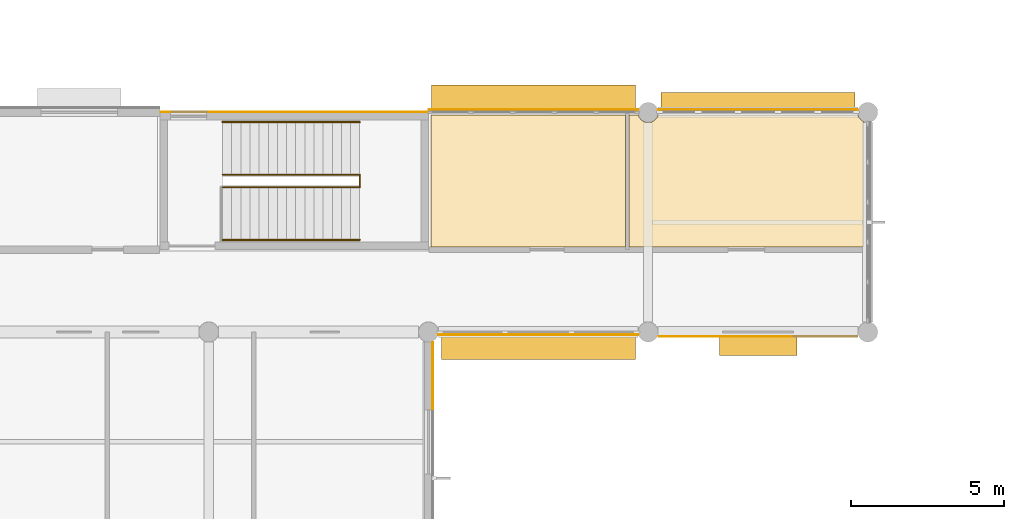
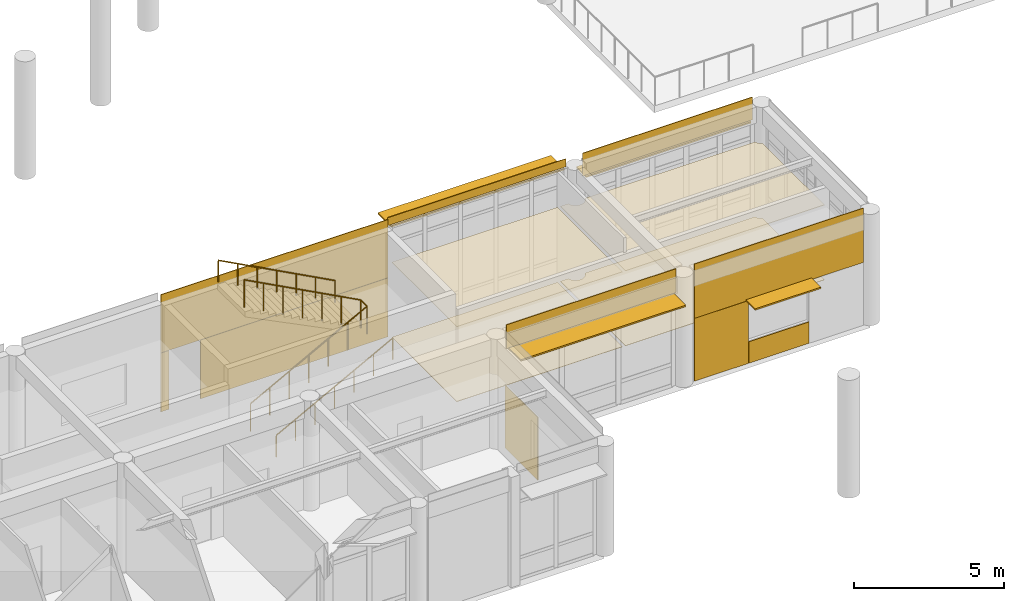
# One storey, part 76 of 92: 14 coverings, 4 shading devices, 3 railings.
"""IFC4 building model written with IfcOpenShell, lengths in metres."""

import ifcopenshell
import ifcopenshell.guid

model = None  # the IFC model being written
_history = None  # IfcOwnerHistory: only IFC2X3 demands one
_inside = {}  # id of a spatial element -> (the spatial element, [elements in it])
_under = {}  # id of a project, library or spatial element -> (it, [spatial elements below it])
_declared = {}  # id of a project -> (the project, [libraries it declares])
_typed = {}  # id of a type object -> (the type object, [elements of that type])
_made_of = {}  # id of a material, layer set ... -> (it, [elements and type objects made of it])


def new_model(schema):
    """Start an empty IFC model of exactly this schema.

    Asked for "IFC4X3", IfcOpenShell would pick the latest addendum, in which some entities
    have other attributes; the version numbers below select the first issue.
    IFC2X3 requires an IfcOwnerHistory on every rooted entity: one is made here for all.
    """
    global model, _history
    if schema == "IFC4X3":
        model = ifcopenshell.file(schema_version=(4, 3, 0, 0))
    else:
        model = ifcopenshell.file(schema=schema)
    _inside.clear()
    _under.clear()
    _declared.clear()
    _typed.clear()
    _made_of.clear()
    _history = None
    if model.schema == "IFC2X3":
        org = make("IfcOrganization", Name="unknown")
        user = make(
            "IfcPersonAndOrganization",
            ThePerson=make("IfcPerson", FamilyName="unknown"),
            TheOrganization=org,
        )
        app = make(
            "IfcApplication",
            ApplicationDeveloper=org,
            Version="unknown",
            ApplicationFullName="unknown",
            ApplicationIdentifier="unknown",
        )
        _history = make(
            "IfcOwnerHistory",
            OwningUser=user,
            OwningApplication=app,
            ChangeAction="ADDED",
            CreationDate=0,
        )
    return model


def make(cls, **values):
    """One entity of the class cls with the attributes given. An attribute that is None is left unset."""
    return model.create_entity(
        cls, **{name: value for name, value in values.items() if value is not None}
    )


def rooted(cls, **values):
    """An entity with a GlobalId (a new one), such as an element, a storey or a relation."""
    return make(cls, GlobalId=ifcopenshell.guid.new(), OwnerHistory=_history, **values)


def si_unit(unit_type, name, prefix=None):
    """IfcSIUnit, for example si_unit("LENGTHUNIT", "METRE", prefix="MILLI")."""
    return make("IfcSIUnit", UnitType=unit_type, Prefix=prefix, Name=name)


def assignment(units):
    """IfcUnitAssignment: the units of a project."""
    return None if units is None else make("IfcUnitAssignment", Units=units)


def point(xyz):
    """IfcCartesianPoint."""
    return None if xyz is None else make("IfcCartesianPoint", Coordinates=xyz)


def direction(xyz):
    """IfcDirection."""
    return None if xyz is None else make("IfcDirection", DirectionRatios=xyz)


def frame(location, z_axis=None, x_axis=None):
    """IfcAxis2Placement3D, a coordinate frame: its origin and axes. An axis left out is left unset."""
    return make(
        "IfcAxis2Placement3D",
        Location=point(location),
        Axis=direction(z_axis),
        RefDirection=direction(x_axis),
    )


def frame_2d(location, x_axis=None):
    """IfcAxis2Placement2D, a coordinate frame in the plane: its origin and x axis."""
    return make(
        "IfcAxis2Placement2D", Location=point(location), RefDirection=direction(x_axis)
    )


def origin():
    """The frame at (0, 0, 0) with its axes left unset."""
    return frame((0.0, 0.0, 0.0))


def origin_2d():
    """The frame at (0, 0) in the plane with its x axis left unset."""
    return frame_2d((0.0, 0.0))


def place(relative_to, where):
    """IfcLocalPlacement: puts the frame where relative to a parent placement (None: the world)."""
    return make(
        "IfcLocalPlacement", PlacementRelTo=relative_to, RelativePlacement=where
    )


def context(
    kind, dimensions, precision=None, world=None, true_north=None, identifier=None
):
    """IfcGeometricRepresentationContext, for example the 3D "Model" context."""
    return make(
        "IfcGeometricRepresentationContext",
        ContextIdentifier=identifier,
        ContextType=kind,
        CoordinateSpaceDimension=dimensions,
        Precision=precision,
        WorldCoordinateSystem=world,
        TrueNorth=true_north,
    )


def subcontext(parent, identifier, kind, view, scale=None):
    """IfcGeometricRepresentationSubContext, for example "Body" below "Model"."""
    return make(
        "IfcGeometricRepresentationSubContext",
        ContextIdentifier=identifier,
        ContextType=kind,
        ParentContext=parent,
        TargetScale=scale,
        TargetView=view,
    )


def project(units=None, contexts=None):
    """IfcProject with its units and contexts."""
    return rooted(
        "IfcProject",
        Name="project",
        RepresentationContexts=contexts,
        UnitsInContext=assignment(units),
    )


def spatial(cls, under=None, at=None, **own):
    """A site, building, storey or space (cls), placed at a placement, below another one or the project."""
    s = rooted(cls, ObjectPlacement=at, **own)
    if under is not None:
        _under.setdefault(under.id(), (under, []))[1].append(s)
    return s


def polyline(points):
    """IfcPolyline through the points."""
    return make("IfcPolyline", Points=[point(p) for p in points])


def profile(cls, at=None, kind="AREA", **sizes):
    """A parametric profile (cls). Its sizes go by their IFC names, for example OverallWidth=200.0."""
    return make(cls, ProfileType=kind, Position=at, **sizes)


def rectangle(**sizes):
    """IfcRectangleProfileDef."""
    return profile("IfcRectangleProfileDef", **sizes)


def circle(**sizes):
    """IfcCircleProfileDef."""
    return profile("IfcCircleProfileDef", **sizes)


def outline(outer, holes=None, kind="AREA"):
    """IfcArbitraryClosedProfileDef: a profile drawn as a closed curve; with holes, ...WithVoids."""
    if holes is None:
        return make("IfcArbitraryClosedProfileDef", ProfileType=kind, OuterCurve=outer)
    return make(
        "IfcArbitraryProfileDefWithVoids",
        ProfileType=kind,
        OuterCurve=outer,
        InnerCurves=holes,
    )


def extrude(swept, where, along, depth):
    """IfcExtrudedAreaSolid: the profile swept, set in the frame where, extruded along a direction by depth."""
    return make(
        "IfcExtrudedAreaSolid",
        SweptArea=swept,
        Position=where,
        ExtrudedDirection=direction(along),
        Depth=depth,
    )


def shape(context_of_items, identifier, shape_type, items):
    """IfcShapeRepresentation: the items that make up one representation, for example the "Body"."""
    return make(
        "IfcShapeRepresentation",
        ContextOfItems=context_of_items,
        RepresentationIdentifier=identifier,
        RepresentationType=shape_type,
        Items=items,
    )


def material(Name=None, Category=None):
    """IfcMaterial."""
    return make("IfcMaterial", Name=Name, Category=Category)


def layer(
    of_material, thickness, ventilated=None, Name=None, Category=None, Priority=None
):
    """IfcMaterialLayer: one layer of a wall or slab, of a material (None: an air gap)."""
    return make(
        "IfcMaterialLayer",
        Material=of_material,
        LayerThickness=thickness,
        IsVentilated=ventilated,
        Name=Name,
        Category=Category,
        Priority=Priority,
    )


def layer_set(layers, Name=None):
    """IfcMaterialLayerSet."""
    return make("IfcMaterialLayerSet", MaterialLayers=layers, LayerSetName=Name)


def made_of(thing, what):
    """Note that an element or type object is made of a material, layer set ...; save() writes the relation."""
    if what is not None:
        _made_of.setdefault(what.id(), (what, []))[1].append(thing)
    return thing


def type_object(cls, material=None, **own):
    """A type object (cls), such as IfcWallType, which elements share."""
    return made_of(rooted(cls, **own), material)


def element(
    cls,
    number,
    at=None,
    inside=None,
    cuts=None,
    type_object=None,
    material=None,
    context=None,
    identifier="Body",
    shape_type=None,
    held_by="IfcProductDefinitionShape",
    body=None,
    shapes=None,
    **own,
):
    """One element of the class cls, such as IfcWall. Its Tag is "e" and its number.

    at: its placement. inside: the storey or other place that contains it. cuts: it is an
    opening in that element (IfcRelVoidsElement). A single representation is given by context,
    identifier, shape_type and body (its items); several are given by shapes. held_by: the class
    of the entity that holds the representations. save() writes the other relations.
    """
    e = rooted(cls, Tag="e%d" % number, ObjectPlacement=at, **own)
    if body is not None:
        shapes = [shape(context, identifier, shape_type, body)]
    if shapes is not None:
        e.Representation = make(held_by, Representations=shapes)
    if inside is not None:
        _inside.setdefault(inside.id(), (inside, []))[1].append(e)
    if cuts is not None:
        rooted(
            "IfcRelVoidsElement", RelatingBuildingElement=cuts, RelatedOpeningElement=e
        )
    if type_object is not None:
        _typed.setdefault(type_object.id(), (type_object, []))[1].append(e)
    return made_of(e, material)


def aggregate(whole, parts):
    """IfcRelAggregates: a whole, such as a stair, and the parts it consists of."""
    return rooted("IfcRelAggregates", RelatingObject=whole, RelatedObjects=parts)


def save(model, path):
    """Write the relations noted so far, then the file.

    IfcRelAggregates (storeys below a building ...), IfcRelContainedInSpatialStructure (elements
    in a storey), IfcRelDefinesByType, IfcRelAssociatesMaterial and IfcRelDeclares: one each for
    every whole, place, type object, material and project.
    """
    for whole, parts in _under.values():
        aggregate(whole, parts)
    for where, things in _inside.values():
        rooted(
            "IfcRelContainedInSpatialStructure",
            RelatedElements=things,
            RelatingStructure=where,
        )
    for kind, things in _typed.values():
        rooted("IfcRelDefinesByType", RelatedObjects=things, RelatingType=kind)
    for what, things in _made_of.values():
        rooted("IfcRelAssociatesMaterial", RelatedObjects=things, RelatingMaterial=what)
    for by, libraries in _declared.values():
        rooted("IfcRelDeclares", RelatingContext=by, RelatedDefinitions=libraries)
    model.write(path)


model = new_model("IFC4")

# Units and contexts
model_context = context("Model", 3, precision=1e-05, world=origin(), true_north=direction((0.0, 1.0)))
body_context = subcontext(model_context, "Body", "Model", "MODEL_VIEW")
ifc_project = project(units=[si_unit("LENGTHUNIT", "METRE"), si_unit("AREAUNIT", "SQUARE_METRE"), si_unit("VOLUMEUNIT", "CUBIC_METRE"), si_unit("PLANEANGLEUNIT", "RADIAN"), si_unit("MASSUNIT", "GRAM", prefix="KILO")], contexts=[model_context])

# Site, building, storey
site_placement = place(None, origin())
site = spatial("IfcSite", under=ifc_project, at=site_placement, CompositionType="ELEMENT")
building_placement = place(site_placement, origin())
building = spatial("IfcBuilding", under=site, at=building_placement, Name="Namkhue Oval Health Centre", CompositionType="ELEMENT")
storey_placement = place(building_placement, frame((0.0, 0.0, 4.800048828125)))
storey = spatial("IfcBuildingStorey", under=building, at=storey_placement, Name="L01", CompositionType="ELEMENT", Elevation=4.800048828125)

# Coverings
ifc_material_1 = material(Name="Acoustic mineral-fibre cleanroom ceiling", Category="gypsum")
ifc_layer_1 = layer(ifc_material_1, 0.02001953125)
ifc_layer_set_1 = layer_set([ifc_layer_1], Name="Acoustic mineral-fibre cleanroom ceiling")
covering_type_1 = type_object("IfcCoveringType", Name="ACOUSTIC CLEANROOM CEILING 20", PredefinedType="CEILING", material=ifc_layer_set_1)
covering_1_placement = place(storey_placement, frame((0.0, 0.0, 3.050048828125)))
element("IfcCovering", 1, at=covering_1_placement, inside=storey, type_object=covering_type_1, Name="Acoustic Ceiling L01-509 Digital CAD CAM Dental Studio", PredefinedType="CEILING", context=body_context, shape_type="SweptSolid", body=[
    extrude(outline(polyline([(122.47998046875, 24.3798828125), (122.47998046875, 28.715087890625), (128.860107421875, 28.715087890625), (128.860107421875, 24.3798828125), (122.47998046875, 24.3798828125)])), origin(), (0.0, 0.0, 1.0), 0.02001953125),
])
covering_2_placement = place(storey_placement, frame((0.0, 0.0, 3.050048828125)))
element("IfcCovering", 2, at=covering_2_placement, inside=storey, type_object=covering_type_1, Name="Acoustic Ceiling L01-510 Implantology Procedure Room", PredefinedType="CEILING", context=body_context, shape_type="SweptSolid", body=[
    extrude(outline(polyline([(128.97998046875, 24.3798828125), (128.97998046875, 28.715087890625), (129.276123046875, 28.715087890625), (129.309814453125, 28.632568359375), (129.363037109375, 28.56298828125), (129.4326171875, 28.510009765625), (129.51318359375, 28.476318359375), (129.60009765625, 28.465087890625), (129.686767578125, 28.476318359375), (129.767578125, 28.510009765625), (129.8369140625, 28.56298828125), (129.89013671875, 28.632568359375), (129.923828125, 28.715087890625), (136.476318359375, 28.715087890625), (136.510009765625, 28.632568359375), (136.56298828125, 28.56298828125), (136.632568359375, 28.510009765625), (136.655029296875, 28.50048828125), (136.655029296875, 24.3798828125), (128.97998046875, 24.3798828125)])), origin(), (0.0, 0.0, 1.0), 0.02001953125),
])
ifc_material_2 = material(Name="Homogeneous anti-bacterial clinical vinyl flooring", Category="plastic")
ifc_layer_2 = layer(ifc_material_2, 0.014892578125)
ifc_layer_set_2 = layer_set([ifc_layer_2], Name="Homogeneous anti-bacterial clinical vinyl flooring")
covering_type_2 = type_object("IfcCoveringType", Name="CLINICAL ANTIBACTERIAL VINYL FLOORING 15", PredefinedType="FLOORING", material=ifc_layer_set_2)
covering_3_placement = place(storey_placement, origin())
element("IfcCovering", 3, at=covering_3_placement, inside=storey, type_object=covering_type_2, Name="Clinical Flooring L01-509 Digital CAD CAM Dental Studio", PredefinedType="FLOORING", context=body_context, shape_type="SweptSolid", body=[
    extrude(outline(polyline([(122.47998046875, 24.3798828125), (122.47998046875, 28.715087890625), (128.860107421875, 28.715087890625), (128.860107421875, 24.3798828125), (122.47998046875, 24.3798828125)])), origin(), (0.0, 0.0, 1.0), 0.014892578125),
])
covering_4_placement = place(storey_placement, origin())
element("IfcCovering", 4, at=covering_4_placement, inside=storey, type_object=covering_type_2, Name="Clinical Flooring L01-510 Implantology Procedure Room", PredefinedType="FLOORING", context=body_context, shape_type="SweptSolid", body=[
    extrude(outline(polyline([(128.97998046875, 24.3798828125), (128.97998046875, 28.715087890625), (129.276123046875, 28.715087890625), (129.309814453125, 28.632568359375), (129.363037109375, 28.56298828125), (129.4326171875, 28.510009765625), (129.51318359375, 28.476318359375), (129.60009765625, 28.465087890625), (129.686767578125, 28.476318359375), (129.767578125, 28.510009765625), (129.8369140625, 28.56298828125), (129.89013671875, 28.632568359375), (129.923828125, 28.715087890625), (136.476318359375, 28.715087890625), (136.510009765625, 28.632568359375), (136.56298828125, 28.56298828125), (136.632568359375, 28.510009765625), (136.655029296875, 28.50048828125), (136.655029296875, 24.3798828125), (128.97998046875, 24.3798828125)])), origin(), (0.0, 0.0, 1.0), 0.014892578125),
])

# Railings
ifc_material_3 = material(Name="Brushed stainless steel 316L balustrade with laminated glass infill", Category="steel")
railing_type_1 = type_object("IfcRailingType", Name="INTERIOR BALUSTRADE GUARD 1150", PredefinedType="BALUSTRADE", material=ifc_material_3)
railing_1_placement = place(storey_placement, frame((115.64990234375, 26.340087890625, 0.0)))
element("IfcRailing", 5, at=railing_1_placement, inside=storey, type_object=railing_type_1, Name="Stair ST-10 L01 Inner Well Guard", PredefinedType="BALUSTRADE", context=body_context, shape_type="SweptSolid", body=[
    extrude(circle(Radius=0.02392578125, at=origin_2d()), frame((0.0, 0.0, 1.1259765625), z_axis=(0.882360891967, 0.0, 0.470573327259), x_axis=(0.0, 1.0, 0.0)), (0.0, 0.0, 1.0), 5.099853515625),
    extrude(circle(Radius=0.02392578125, at=origin_2d()), frame((4.5, 0.0, 3.52587890625), z_axis=(0.0, 1.0, 0.0), x_axis=(-1.0, 0.0, 0.0)), (0.0, 0.0, 1.0), 0.419921875),
    extrude(circle(Radius=0.02392578125, at=origin_2d()), frame((4.5, 0.419921875, 3.52587890625), z_axis=(-0.882341014787, 0.0, 0.470610596591), x_axis=(0.0, -1.0, 0.0)), (0.0, 0.0, 1.0), 5.10009765625),
    extrude(circle(Radius=0.02099609375, at=origin_2d()), origin(), (0.0, 0.0, 1.0), 1.101806640625),
    extrude(circle(Radius=0.02099609375, at=origin_2d()), frame((0.75, 0.0, 0.39990234375)), (0.0, 0.0, 1.0), 1.101806640625),
    extrude(circle(Radius=0.02099609375, at=origin_2d()), frame((1.5, 0.0, 0.800048828125)), (0.0, 0.0, 1.0), 1.101806640625),
    extrude(circle(Radius=0.02099609375, at=origin_2d()), frame((2.25, 0.0, 1.199951171875)), (0.0, 0.0, 1.0), 1.101806640625),
    extrude(circle(Radius=0.02099609375, at=origin_2d()), frame((3.0, 0.0, 1.599853515625)), (0.0, 0.0, 1.0), 1.101806640625),
    extrude(circle(Radius=0.02099609375, at=origin_2d()), frame((3.75, 0.0, 2.0)), (0.0, 0.0, 1.0), 1.101806640625),
    extrude(circle(Radius=0.02099609375, at=origin_2d()), frame((4.5, 0.0, 2.39990234375)), (0.0, 0.0, 1.0), 1.101806640625),
    extrude(circle(Radius=0.02099609375, at=origin_2d()), frame((4.5, 0.419921875, 2.39990234375)), (0.0, 0.0, 1.0), 1.101806640625),
    extrude(circle(Radius=0.02099609375, at=origin_2d()), frame((3.75, 0.419921875, 2.7998046875)), (0.0, 0.0, 1.0), 1.101806640625),
    extrude(circle(Radius=0.02099609375, at=origin_2d()), frame((3.0, 0.419921875, 3.199951171875)), (0.0, 0.0, 1.0), 1.101806640625),
    extrude(circle(Radius=0.02099609375, at=origin_2d()), frame((2.25, 0.419921875, 3.60009765625)), (0.0, 0.0, 1.0), 1.101806640625),
    extrude(circle(Radius=0.02099609375, at=origin_2d()), frame((1.5, 0.419921875, 4.0)), (0.0, 0.0, 1.0), 1.101806640625),
    extrude(circle(Radius=0.02099609375, at=origin_2d()), frame((0.75, 0.419921875, 4.39990234375)), (0.0, 0.0, 1.0), 1.101806640625),
    extrude(circle(Radius=0.02099609375, at=origin_2d()), frame((0.0, 0.419921875, 4.800048828125)), (0.0, 0.0, 1.0), 1.101806640625),
])
ifc_material_4 = material(Name="Brushed stainless steel 304 tubular handrail", Category="steel")
railing_type_2 = type_object("IfcRailingType", Name="INTERIOR STAIR HANDRAIL 900", PredefinedType="HANDRAIL", material=ifc_material_4)
railing_2_placement = place(storey_placement, frame((115.64990234375, 24.6201171875, 0.0)))
element("IfcRailing", 6, at=railing_2_placement, inside=storey, type_object=railing_type_2, Name="Stair ST-10 L01 Flight 1 Handrail", PredefinedType="HANDRAIL", context=body_context, shape_type="SweptSolid", body=[
    extrude(circle(Radius=0.02392578125, at=origin_2d()), frame((0.0, 0.0, 0.8759765625), z_axis=(0.882360891967, 0.0, 0.470573327259), x_axis=(0.0, 1.0, 0.0)), (0.0, 0.0, 1.0), 5.099853515625),
    extrude(circle(Radius=0.02099609375, at=origin_2d()), origin(), (0.0, 0.0, 1.0), 0.851806640625),
    extrude(circle(Radius=0.02099609375, at=origin_2d()), frame((0.75, 0.0, 0.39990234375)), (0.0, 0.0, 1.0), 0.851806640625),
    extrude(circle(Radius=0.02099609375, at=origin_2d()), frame((1.5, 0.0, 0.800048828125)), (0.0, 0.0, 1.0), 0.851806640625),
    extrude(circle(Radius=0.02099609375, at=origin_2d()), frame((2.25, 0.0, 1.199951171875)), (0.0, 0.0, 1.0), 0.851806640625),
    extrude(circle(Radius=0.02099609375, at=origin_2d()), frame((3.0, 0.0, 1.599853515625)), (0.0, 0.0, 1.0), 0.851806640625),
    extrude(circle(Radius=0.02099609375, at=origin_2d()), frame((3.75, 0.0, 2.0)), (0.0, 0.0, 1.0), 0.851806640625),
    extrude(circle(Radius=0.02099609375, at=origin_2d()), frame((4.5, 0.0, 2.39990234375)), (0.0, 0.0, 1.0), 0.851806640625),
])
railing_3_placement = place(storey_placement, frame((120.14990234375, 28.47998046875, 2.39990234375)))
element("IfcRailing", 7, at=railing_3_placement, inside=storey, type_object=railing_type_2, Name="Stair ST-10 L01 Flight 2 Handrail", PredefinedType="HANDRAIL", context=body_context, shape_type="SweptSolid", body=[
    extrude(circle(Radius=0.02392578125, at=origin_2d()), frame((0.0, 0.0, 0.8759765625), z_axis=(-0.882341014787, 0.0, 0.470610596591), x_axis=(0.0, -1.0, 0.0)), (0.0, 0.0, 1.0), 5.10009765625),
    extrude(circle(Radius=0.02099609375, at=origin_2d()), origin(), (0.0, 0.0, 1.0), 0.851806640625),
    extrude(circle(Radius=0.02099609375, at=origin_2d()), frame((-0.75, 0.0, 0.39990234375)), (0.0, 0.0, 1.0), 0.851806640625),
    extrude(circle(Radius=0.02099609375, at=origin_2d()), frame((-1.5, 0.0, 0.800048828125)), (0.0, 0.0, 1.0), 0.851806640625),
    extrude(circle(Radius=0.02099609375, at=origin_2d()), frame((-2.25, 0.0, 1.2001953125)), (0.0, 0.0, 1.0), 0.851806640625),
    extrude(circle(Radius=0.02099609375, at=origin_2d()), frame((-3.0, 0.0, 1.60009765625)), (0.0, 0.0, 1.0), 0.851806640625),
    extrude(circle(Radius=0.02099609375, at=origin_2d()), frame((-3.75, 0.0, 2.0)), (0.0, 0.0, 1.0), 0.851806640625),
    extrude(circle(Radius=0.02099609375, at=origin_2d()), frame((-4.5, 0.0, 2.400146484375)), (0.0, 0.0, 1.0), 0.851806640625),
])

# Shading devices
ifc_material_5 = material(Name="Anodised aluminium EN AW-6063 T6", Category="aluminium")
ifc_layer_3 = layer(ifc_material_5, 0.06005859375)
ifc_layer_set_3 = layer_set([ifc_layer_3], Name="Anodised aluminium EN AW-6063 T6")
shading_device_type_1 = type_object("IfcShadingDeviceType", Name="MONSOON SUN LOUVRE 900", PredefinedType="JALOUSIE", material=ifc_layer_set_3)
shading_device_1_placement = place(storey_placement, frame((126.0, 21.14990234375, 3.77001953125), z_axis=(0.0, 0.0, 1.0), x_axis=(1.0, 0.0, 0.0)))
element("IfcShadingDevice", 8, at=shading_device_1_placement, inside=storey, type_object=shading_device_type_1, Name="Volume V5 L01 Horizontal Monsoon Sun Louvre 258", PredefinedType="JALOUSIE", context=body_context, shape_type="SweptSolid", body=[
    extrude(rectangle(XDim=6.360107421875, YDim=0.89990234375, at=origin_2d()), origin(), (0.0, 0.0, 1.0), 0.06005859375),
])
shading_device_2_placement = place(storey_placement, frame((125.841064453125, 29.25, 4.419921875), z_axis=(0.0, 0.0, 1.0), x_axis=(-1.0, 0.0, 0.0)))
element("IfcShadingDevice", 9, at=shading_device_2_placement, inside=storey, type_object=shading_device_type_1, Name="Volume V5 L01 Horizontal Monsoon Sun Louvre 262", PredefinedType="JALOUSIE", context=body_context, shape_type="SweptSolid", body=[
    extrude(rectangle(XDim=6.677978515625, YDim=0.89990234375, at=origin_2d()), origin(), (0.0, 0.0, 1.0), 0.06005859375),
])
ifc_layer_4 = layer(ifc_material_5, 0.050048828125)
ifc_layer_set_4 = layer_set([ifc_layer_4], Name="Anodised aluminium EN AW-6063 T6")
shading_device_type_2 = type_object("IfcShadingDeviceType", Name="STORM SHUTTER LOUVRE 650", PredefinedType="SHUTTER", material=ifc_layer_set_4)
shading_device_3_placement = place(storey_placement, frame((133.199951171875, 21.14990234375, 2.579833984375), z_axis=(0.0, 0.0, 1.0), x_axis=(1.0, 0.0, 0.0)))
element("IfcShadingDevice", 10, at=shading_device_3_placement, inside=storey, type_object=shading_device_type_2, Name="Volume V5 L01 Window Monsoon Louvre 259", PredefinedType="SHUTTER", context=body_context, shape_type="SweptSolid", body=[
    extrude(rectangle(XDim=2.5400390625, YDim=0.64990234375, at=origin_2d()), origin(), (0.0, 0.0, 1.0), 0.06005859375),
])
shading_device_4_placement = place(storey_placement, frame((133.199951171875, 29.125, 3.81787109375), z_axis=(0.0, 0.0, 1.0), x_axis=(-1.0, 0.0, 0.0)))
element("IfcShadingDevice", 11, at=shading_device_4_placement, inside=storey, type_object=shading_device_type_2, Name="Volume V5 L01 Horizontal Monsoon Sun Louvre 261", PredefinedType="SHUTTER", context=body_context, shape_type="SweptSolid", body=[
    extrude(rectangle(XDim=6.360107421875, YDim=0.64990234375, at=origin_2d()), origin(), (0.0, 0.0, 1.0), 0.06005859375),
])

# Coverings
ifc_material_6 = material(Name="White glass-fibre reinforced concrete GRC rainscreen cladding", Category="concrete")
ifc_layer_5 = layer(ifc_material_6, 0.02490234375)
ifc_layer_set_5 = layer_set([ifc_layer_5], Name="White glass-fibre reinforced concrete GRC rainscreen cladding")
covering_type_3 = type_object("IfcCoveringType", Name="WHITE GRC RAINSCREEN CLADDING 25", PredefinedType="CLADDING", material=ifc_layer_set_5)
covering_5_placement = place(storey_placement, frame((122.5419921875, 20.16259765625, 0.010009765625), z_axis=(0.0, 0.0, 1.0), x_axis=(0.0, 1.0, 0.0)))
element("IfcCovering", 12, at=covering_5_placement, inside=storey, type_object=covering_type_3, Name="Volume V5 L01 Facade 121 White GRC Cladding 4", PredefinedType="CLADDING", context=body_context, shape_type="SweptSolid", body=[
    extrude(rectangle(XDim=2.195068359375, YDim=0.02490234375, at=origin_2d()), origin(), (0.0, 0.0, 1.0), 2.56005859375),
])
covering_6_placement = place(storey_placement, frame((126.0, 21.511474609375, 3.824951171875), z_axis=(0.0, 0.0, 1.0), x_axis=(1.0, 0.0, 0.0)))
element("IfcCovering", 13, at=covering_6_placement, inside=storey, type_object=covering_type_3, Name="Volume V5 L01 Curtain Wall Spandrel Cladding 192", PredefinedType="CLADDING", context=body_context, shape_type="SweptSolid", body=[
    extrude(rectangle(XDim=6.550048828125, YDim=0.02490234375, at=origin_2d()), origin(), (0.0, 0.0, 1.0), 0.97509765625),
])
covering_7_placement = place(storey_placement, frame((133.199951171875, 21.452880859375, 2.57470703125), z_axis=(0.0, 0.0, 1.0), x_axis=(1.0, 0.0, 0.0)))
element("IfcCovering", 14, at=covering_7_placement, inside=storey, type_object=covering_type_3, Name="Volume V5 L01 Facade 122 White GRC Cladding 1", PredefinedType="CLADDING", context=body_context, shape_type="SweptSolid", body=[
    extrude(rectangle(XDim=6.52001953125, YDim=0.02490234375, at=origin_2d()), origin(), (0.0, 0.0, 1.0), 2.215087890625),
])
covering_8_placement = place(storey_placement, frame((130.987548828125, 21.452880859375, 0.010009765625), z_axis=(0.0, 0.0, 1.0), x_axis=(1.0, 0.0, 0.0)))
element("IfcCovering", 15, at=covering_8_placement, inside=storey, type_object=covering_type_3, Name="Volume V5 L01 Facade 122 White GRC Cladding 2", PredefinedType="CLADDING", context=body_context, shape_type="SweptSolid", body=[
    extrude(rectangle(XDim=2.094970703125, YDim=0.02490234375, at=origin_2d()), origin(), (0.0, 0.0, 1.0), 2.56005859375),
])
covering_9_placement = place(storey_placement, frame((133.199951171875, 21.452880859375, 0.010009765625), z_axis=(0.0, 0.0, 1.0), x_axis=(1.0, 0.0, 0.0)))
element("IfcCovering", 16, at=covering_9_placement, inside=storey, type_object=covering_type_3, Name="Volume V5 L01 Facade 122 White GRC Cladding 3", PredefinedType="CLADDING", context=body_context, shape_type="SweptSolid", body=[
    extrude(rectangle(XDim=2.320068359375, YDim=0.02490234375, at=origin_2d()), origin(), (0.0, 0.0, 1.0), 0.875),
])
covering_10_placement = place(storey_placement, frame((133.199951171875, 28.888427734375, 3.873046875), z_axis=(0.0, 0.0, 1.0), x_axis=(-1.0, 0.0, 0.0)))
element("IfcCovering", 17, at=covering_10_placement, inside=storey, type_object=covering_type_3, Name="Volume V5 L01 Curtain Wall Spandrel Cladding 194", PredefinedType="CLADDING", context=body_context, shape_type="SweptSolid", body=[
    extrude(rectangle(XDim=6.550048828125, YDim=0.02490234375, at=origin_2d()), origin(), (0.0, 0.0, 1.0), 0.927001953125),
])
covering_11_placement = place(storey_placement, frame((125.841064453125, 28.888427734375, 4.47509765625), z_axis=(0.0, 0.0, 1.0), x_axis=(-1.0, 0.0, 0.0)))
element("IfcCovering", 18, at=covering_11_placement, inside=storey, type_object=covering_type_3, Name="Volume V5 L01 Curtain Wall Spandrel Cladding 195", PredefinedType="CLADDING", context=body_context, shape_type="SweptSolid", body=[
    extrude(rectangle(XDim=6.867919921875, YDim=0.02490234375, at=origin_2d()), origin(), (0.0, 0.0, 1.0), 0.324951171875),
])
covering_12_placement = place(storey_placement, frame((118.0, 28.81201171875, 2.4150390625), z_axis=(0.0, 0.0, 1.0), x_axis=(-1.0, 0.0, 0.0)))
element("IfcCovering", 19, at=covering_12_placement, inside=storey, type_object=covering_type_3, Name="Core SC-10 L01 Core N White GRC Cladding 1", PredefinedType="CLADDING", context=body_context, shape_type="SweptSolid", body=[
    extrude(rectangle(XDim=8.760009765625, YDim=0.02490234375, at=origin_2d()), origin(), (0.0, 0.0, 1.0), 2.375),
])
covering_13_placement = place(storey_placement, frame((118.762451171875, 28.81201171875, 0.010009765625), z_axis=(0.0, 0.0, 1.0), x_axis=(-1.0, 0.0, 0.0)))
element("IfcCovering", 20, at=covering_13_placement, inside=storey, type_object=covering_type_3, Name="Core SC-10 L01 Core N White GRC Cladding 2", PredefinedType="CLADDING", context=body_context, shape_type="SweptSolid", body=[
    extrude(rectangle(XDim=7.235107421875, YDim=0.02490234375, at=origin_2d()), origin(), (0.0, 0.0, 1.0), 2.39990234375),
])
covering_14_placement = place(storey_placement, frame((113.777587890625, 28.81201171875, 0.010009765625), z_axis=(0.0, 0.0, 1.0), x_axis=(-1.0, 0.0, 0.0)))
element("IfcCovering", 21, at=covering_14_placement, inside=storey, type_object=covering_type_3, Name="Core SC-10 L01 Core N White GRC Cladding 4", PredefinedType="CLADDING", context=body_context, shape_type="SweptSolid", body=[
    extrude(rectangle(XDim=0.31494140625, YDim=0.02490234375, at=origin_2d()), origin(), (0.0, 0.0, 1.0), 2.39990234375),
])

save(model, "model.ifc")
